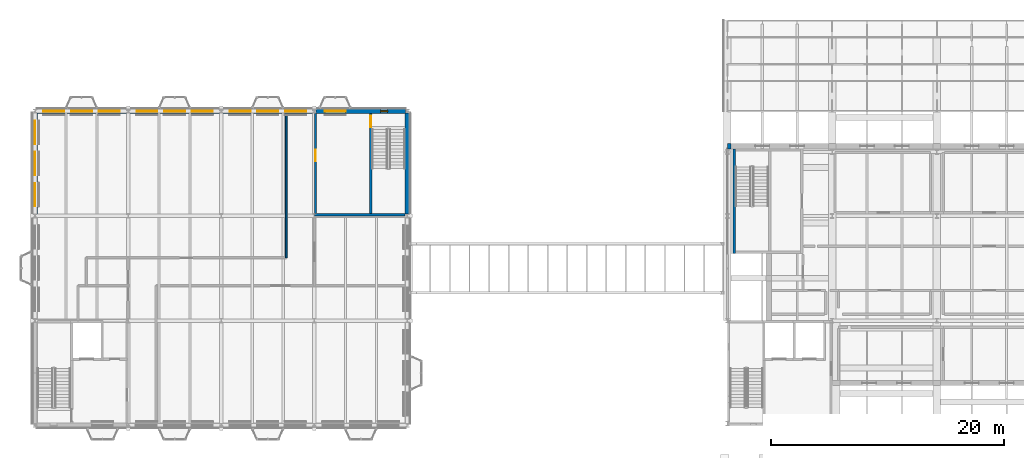
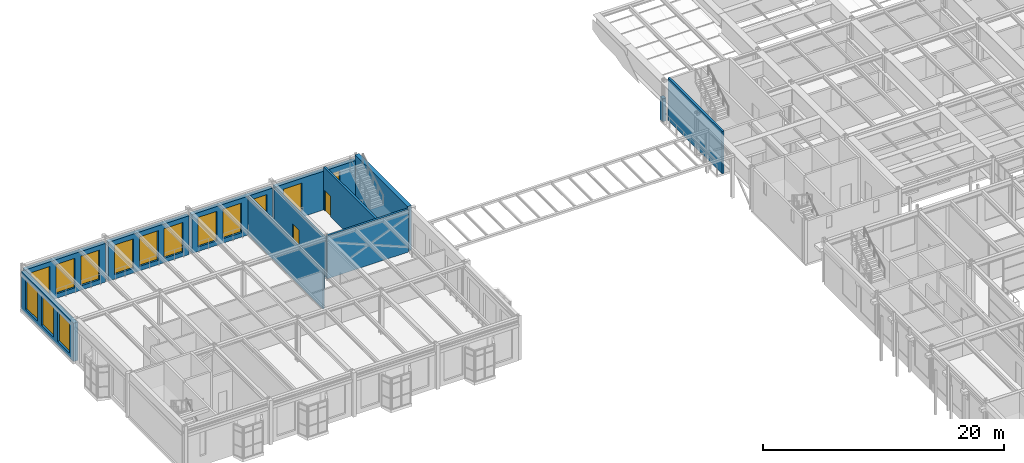
# One storey, part 102 of 153: 14 windows, 12 walls, 2 doors, 16 openings.
"""IFC4 building model written with IfcOpenShell, lengths in metres."""

from ifc_helpers import new_model, si_unit, direction, frame, frame_2d, origin, place, context, subcontext, project, spatial, rectangle, extrude, material, layer, layer_set, type_object, element, fill, save


model = new_model("IFC4")

# Units and contexts
model_context = context("Model", 3, precision=1e-05, world=origin(), true_north=direction((0.0, 1.0)))
body_context = subcontext(model_context, "Body", "Model", "MODEL_VIEW")
ifc_project = project(units=[si_unit("LENGTHUNIT", "METRE"), si_unit("AREAUNIT", "SQUARE_METRE"), si_unit("VOLUMEUNIT", "CUBIC_METRE"), si_unit("PLANEANGLEUNIT", "RADIAN"), si_unit("MASSUNIT", "GRAM", prefix="KILO")], contexts=[model_context])

# Site, building, storey
site_placement = place(None, origin())
site = spatial("IfcSite", under=ifc_project, at=site_placement, CompositionType="ELEMENT")
building_placement = place(site_placement, origin())
building = spatial("IfcBuilding", under=site, at=building_placement, Name="Kallimachos Central Library", CompositionType="ELEMENT")
storey_placement = place(building_placement, frame((0.0, 0.0, 5.39990234375)))
storey = spatial("IfcBuildingStorey", under=building, at=storey_placement, Name="L01", CompositionType="ELEMENT", Elevation=5.39990234375)

# Wall
ifc_material_1 = material(Name="Concrete C30/37", Category="concrete")
ifc_layer_1 = layer(ifc_material_1, 0.199951171875)
ifc_layer_set_1 = layer_set([ifc_layer_1], Name="Core wall 200")
wall_type_1 = type_object("IfcWallType", Name="Core wall 200", PredefinedType="SOLIDWALL", material=ifc_layer_set_1)
wall_1_placement = place(storey_placement, frame((66.10009765625, 101.77490234375, 0.0), z_axis=(0.0, 0.0, 1.0), x_axis=(0.0, 1.0, 0.0)))
element("IfcWall", 1, at=wall_1_placement, inside=storey, type_object=wall_type_1, Name="Core wall V1-NW W", PredefinedType="SOLIDWALL", context=body_context, shape_type="SweptSolid", body=[
    extrude(rectangle(XDim=9.0, YDim=0.199951171875, at=frame_2d((4.5, 0.0))), origin(), (0.0, 0.0, 1.0), 4.300048828125),
])

# Wall, opening, door
wall_2_placement = place(storey_placement, frame((34.85009765625, 105.199951171875, 0.0), z_axis=(0.0, 0.0, 1.0), x_axis=(0.0, 1.0, 0.0)))
wall_2 = element("IfcWall", 2, at=wall_2_placement, inside=storey, type_object=wall_type_1, Name="Core wall ne-stair-lobby L01", PredefinedType="SOLIDWALL", context=body_context, shape_type="SweptSolid", body=[
    extrude(rectangle(XDim=8.60009765625, YDim=0.199951171875, at=frame_2d((4.300048828125, 0.0))), origin(), (0.0, 0.0, 1.0), 4.35009765625),
])
opening_1_placement = place(wall_2_placement, frame((7.425048828125, 0.0, 0.0)))
opening_1 = element("IfcOpeningElement", 3, at=opening_1_placement, cuts=wall_2, Name="Opening D301", PredefinedType="OPENING", context=body_context, shape_type="SweptSolid", body=[
    extrude(rectangle(XDim=1.0, YDim=2.10009765625, at=frame_2d((0.5, 1.050048828125))), frame((0.0, 0.10986328125, 0.0), z_axis=(0.0, -1.0, 0.0), x_axis=(1.0, 0.0, 0.0)), (0.0, 0.0, 1.0), 0.219970703125),
])
ifc_material_2 = material(Name="Steel fire door", Category="steel")
door_type = type_object("IfcDoorType", Name="Fire door 1000 x 2100", OperationType="NOTDEFINED", PredefinedType="DOOR", material=ifc_material_2)
door_1_placement = place(opening_1_placement, frame((1.0, 0.0, 0.0), z_axis=(0.0, 0.0, 1.0), x_axis=(-1.0, 0.0, 0.0)))
door_1 = element("IfcDoor", 4, at=door_1_placement, inside=storey, type_object=door_type, Name="Stair ST6 door", OperationType="SINGLE_SWING_RIGHT", OverallHeight=2.10009765625, OverallWidth=1.0, PredefinedType="DOOR", context=body_context, shape_type="SweptSolid", body=[
    extrude(rectangle(XDim=1.0, YDim=2.10009765625, at=frame_2d((0.5, 1.050048828125))), frame((0.0, 0.02490234375, 0.0), z_axis=(0.0, -1.0, 0.0), x_axis=(1.0, 0.0, 0.0)), (0.0, 0.0, 1.0), 0.050048828125),
])
fill(opening_1, door_1)

# Wall
wall_3_placement = place(storey_placement, frame((30.0, 105.10009765625, 0.0), z_axis=(0.0, 0.0, 1.0), x_axis=(1.0, 0.0, 0.0)))
element("IfcWall", 5, at=wall_3_placement, inside=storey, type_object=wall_type_1, Name="Core wall ne-south L01", PredefinedType="SOLIDWALL", context=body_context, shape_type="SweptSolid", body=[
    extrude(rectangle(XDim=7.800048828125, YDim=0.199951171875, at=frame_2d((3.89990234375, 0.0))), origin(), (0.0, 0.0, 1.0), 4.35009765625),
])

# Wall, opening, door
wall_4_placement = place(storey_placement, frame((30.10009765625, 105.199951171875, 0.0), z_axis=(0.0, 0.0, 1.0), x_axis=(0.0, 1.0, 0.0)))
wall_4 = element("IfcWall", 6, at=wall_4_placement, inside=storey, type_object=wall_type_1, Name="Core wall ne-west L01", PredefinedType="SOLIDWALL", context=body_context, shape_type="SweptSolid", body=[
    extrude(rectangle(XDim=8.60009765625, YDim=0.199951171875, at=frame_2d((4.300048828125, 0.0))), origin(), (0.0, 0.0, 1.0), 3.91015625),
])
opening_2_placement = place(wall_4_placement, frame((4.5, 0.0, 0.0)))
opening_2 = element("IfcOpeningElement", 7, at=opening_2_placement, cuts=wall_4, Name="Opening D302", PredefinedType="OPENING", context=body_context, shape_type="SweptSolid", body=[
    extrude(rectangle(XDim=1.0, YDim=2.10009765625, at=frame_2d((0.5, 1.050048828125))), frame((0.0, 0.10986328125, 0.0), z_axis=(0.0, -1.0, 0.0), x_axis=(1.0, 0.0, 0.0)), (0.0, 0.0, 1.0), 0.219970703125),
])
door_2_placement = place(opening_2_placement, origin())
door_2 = element("IfcDoor", 8, at=door_2_placement, inside=storey, type_object=door_type, Name="Stair lobby ST6 door to corridor", OperationType="SINGLE_SWING_LEFT", OverallHeight=2.10009765625, OverallWidth=1.0, PredefinedType="DOOR", context=body_context, shape_type="SweptSolid", body=[
    extrude(rectangle(XDim=1.0, YDim=2.10009765625, at=frame_2d((0.5, 1.050048828125))), frame((0.0, 0.02490234375, 0.0), z_axis=(0.0, -1.0, 0.0), x_axis=(1.0, 0.0, 0.0)), (0.0, 0.0, 1.0), 0.050048828125),
])
fill(opening_2, door_2)

# Wall
ifc_material_3 = material(Name="Gypsum board on steel studs", Category="steel")
ifc_layer_2 = layer(ifc_material_3, 0.14990234375)
ifc_layer_set_2 = layer_set([ifc_layer_2], Name="Partition wall 150")
wall_type_2 = type_object("IfcWallType", Name="Partition wall 150", PredefinedType="PARTITIONING", material=ifc_layer_set_2)
wall_5_placement = place(storey_placement, frame((27.60009765625, 101.39990234375, 0.0), z_axis=(0.0, 0.0, 1.0), x_axis=(0.0, 1.0, 0.0)))
element("IfcWall", 9, at=wall_5_placement, inside=storey, type_object=wall_type_2, Name="Partition L01", PredefinedType="PARTITIONING", context=body_context, shape_type="SweptSolid", body=[
    extrude(rectangle(XDim=12.400146484375, YDim=0.14990234375, at=frame_2d((6.2001953125, 0.0))), origin(), (0.0, 0.0, 1.0), 3.960205078125),
])

# Wall, openings, windows
ifc_material_4 = material(Name="Pentelic marble cladding on insulated brick masonry", Category="masonry")
ifc_layer_3 = layer(ifc_material_4, 0.39990234375)
ifc_layer_set_3 = layer_set([ifc_layer_3], Name="Stone cladding wall 400")
wall_type_3 = type_object("IfcWallType", Name="Stone cladding wall 400", PredefinedType="SOLIDWALL", material=ifc_layer_set_3)
wall_6_placement = place(storey_placement, frame((30.14990234375, 114.0, 0.0), z_axis=(0.0, 0.0, 1.0), x_axis=(1.0, 0.0, 0.0)))
wall_6 = element("IfcWall", 10, at=wall_6_placement, inside=storey, type_object=wall_type_3, Name="Stone wall N4 L01", PredefinedType="SOLIDWALL", context=body_context, shape_type="SweptSolid", body=[
    extrude(rectangle(XDim=7.7001953125, YDim=0.39990234375, at=frame_2d((3.85009765625, 0.0))), origin(), (0.0, 0.0, 1.0), 3.93017578125),
])
opening_3_placement = place(wall_6_placement, frame((5.550048828125, 0.0, 1.0)))
opening_3 = element("IfcOpeningElement", 11, at=opening_3_placement, cuts=wall_6, Name="Opening WN221", PredefinedType="OPENING", context=body_context, shape_type="SweptSolid", body=[
    extrude(rectangle(XDim=0.60009765625, YDim=2.39990234375, at=frame_2d((0.300048828125, 1.199951171875))), frame((0.0, 0.2099609375, 0.0), z_axis=(0.0, -1.0, 0.0), x_axis=(1.0, 0.0, 0.0)), (0.0, 0.0, 1.0), 0.419921875),
])
opening_4_placement = place(wall_6_placement, frame((0.75, 0.0, 0.449951171875)))
opening_4 = element("IfcOpeningElement", 12, at=opening_4_placement, cuts=wall_6, Name="Opening WN222", PredefinedType="OPENING", context=body_context, shape_type="SweptSolid", body=[
    extrude(rectangle(XDim=1.800048828125, YDim=3.0, at=frame_2d((0.89990234375, 1.5))), frame((0.0, 0.2099609375, 0.0), z_axis=(0.0, -1.0, 0.0), x_axis=(1.0, 0.0, 0.0)), (0.0, 0.0, 1.0), 0.419921875),
])
ifc_material_5 = material(Name="Laminated safety glass in painted steel frame", Category="steel")
window_type_1 = type_object("IfcWindowType", Name="Stair window 600 x 2400", PartitioningType="SINGLE_PANEL", PredefinedType="WINDOW", material=ifc_material_5)
window_1_placement = place(opening_3_placement, origin())
window_1 = element("IfcWindow", 13, at=window_1_placement, inside=storey, type_object=window_type_1, Name="V2-WIN-L01-021", OverallHeight=2.39990234375, OverallWidth=0.60009765625, PartitioningType="SINGLE_PANEL", PredefinedType="WINDOW", context=body_context, shape_type="SweptSolid", body=[
    extrude(rectangle(XDim=0.60009765625, YDim=2.39990234375, at=frame_2d((0.300048828125, 1.199951171875))), frame((0.0, 0.030029296875, 0.0), z_axis=(0.0, -1.0, 0.0), x_axis=(1.0, 0.0, 0.0)), (0.0, 0.0, 1.0), 0.06005859375),
])
fill(opening_3, window_1)
ifc_material_6 = material(Name="Laminated safety glass in painted steel frame", Category="steel")
window_type_2 = type_object("IfcWindowType", Name="Window 1800 x 3000", PartitioningType="SINGLE_PANEL", PredefinedType="WINDOW", material=ifc_material_6)
window_2_placement = place(opening_4_placement, origin())
window_2 = element("IfcWindow", 14, at=window_2_placement, inside=storey, type_object=window_type_2, Name="V2-WIN-L01-022", OverallHeight=3.0, OverallWidth=1.800048828125, PartitioningType="SINGLE_PANEL", PredefinedType="WINDOW", context=body_context, shape_type="SweptSolid", body=[
    extrude(rectangle(XDim=1.800048828125, YDim=3.0, at=frame_2d((0.89990234375, 1.5))), frame((0.0, 0.030029296875, 0.0), z_axis=(0.0, -1.0, 0.0), x_axis=(1.0, 0.0, 0.0)), (0.0, 0.0, 1.0), 0.06005859375),
])
fill(opening_4, window_2)

# Wall
ifc_material_7 = material(Name="Pentelic marble cladding on insulated brick masonry", Category="masonry")
ifc_layer_4 = layer(ifc_material_7, 0.39990234375)
ifc_layer_set_4 = layer_set([ifc_layer_4], Name="Stone cladding wall 400, load-bearing")
wall_type_4 = type_object("IfcWallType", Name="Stone cladding wall 400, load-bearing", PredefinedType="SOLIDWALL", material=ifc_layer_set_4)
wall_7_placement = place(storey_placement, frame((38.0, 105.14990234375, 0.0), z_axis=(0.0, 0.0, 1.0), x_axis=(0.0, 1.0, 0.0)))
element("IfcWall", 15, at=wall_7_placement, inside=storey, type_object=wall_type_4, Name="Stone wall E3 L01", PredefinedType="SOLIDWALL", context=body_context, shape_type="SweptSolid", body=[
    extrude(rectangle(XDim=8.7001953125, YDim=0.39990234375, at=frame_2d((4.35009765625, 0.0))), origin(), (0.0, 0.0, 1.0), 4.5),
])

# Wall, openings, windows
ifc_material_8 = material(Name="Pentelic marble cladding on insulated brick masonry", Category="masonry")
ifc_layer_5 = layer(ifc_material_8, 0.39990234375)
ifc_layer_set_5 = layer_set([ifc_layer_5], Name="Stone cladding wall 400, unrated")
wall_type_5 = type_object("IfcWallType", Name="Stone cladding wall 400, unrated", PredefinedType="SOLIDWALL", material=ifc_layer_set_5)
wall_8_placement = place(storey_placement, frame((6.14990234375, 114.0, 0.0), z_axis=(0.0, 0.0, 1.0), x_axis=(1.0, 0.0, 0.0)))
wall_8 = element("IfcWall", 16, at=wall_8_placement, inside=storey, type_object=wall_type_5, Name="Stone wall N1 L01", PredefinedType="SOLIDWALL", context=body_context, shape_type="SweptSolid", body=[
    extrude(rectangle(XDim=7.7001953125, YDim=0.39990234375, at=frame_2d((3.85009765625, 0.0))), origin(), (0.0, 0.0, 1.0), 3.93017578125),
])
opening_5_placement = place(wall_8_placement, frame((0.574951171875, 0.0, 0.449951171875)))
opening_5 = element("IfcOpeningElement", 17, at=opening_5_placement, cuts=wall_8, Name="Opening WN198", PredefinedType="OPENING", context=body_context, shape_type="SweptSolid", body=[
    extrude(rectangle(XDim=1.800048828125, YDim=3.0, at=frame_2d((0.89990234375, 1.5))), frame((0.0, 0.2099609375, 0.0), z_axis=(0.0, -1.0, 0.0), x_axis=(1.0, 0.0, 0.0)), (0.0, 0.0, 1.0), 0.419921875),
])
opening_6_placement = place(wall_8_placement, frame((2.949951171875, 0.0, 0.449951171875)))
opening_6 = element("IfcOpeningElement", 18, at=opening_6_placement, cuts=wall_8, Name="Opening WN199", PredefinedType="OPENING", context=body_context, shape_type="SweptSolid", body=[
    extrude(rectangle(XDim=1.800048828125, YDim=3.0, at=frame_2d((0.89990234375, 1.5))), frame((0.0, 0.2099609375, 0.0), z_axis=(0.0, -1.0, 0.0), x_axis=(1.0, 0.0, 0.0)), (0.0, 0.0, 1.0), 0.419921875),
])
opening_7_placement = place(wall_8_placement, frame((5.324951171875, 0.0, 0.449951171875)))
opening_7 = element("IfcOpeningElement", 19, at=opening_7_placement, cuts=wall_8, Name="Opening WN200", PredefinedType="OPENING", context=body_context, shape_type="SweptSolid", body=[
    extrude(rectangle(XDim=1.800048828125, YDim=3.0, at=frame_2d((0.89990234375, 1.5))), frame((0.0, 0.2099609375, 0.0), z_axis=(0.0, -1.0, 0.0), x_axis=(1.0, 0.0, 0.0)), (0.0, 0.0, 1.0), 0.419921875),
])
window_3_placement = place(opening_5_placement, origin())
window_3 = element("IfcWindow", 20, at=window_3_placement, inside=storey, type_object=window_type_2, Name="V2-WIN-L01-012", OverallHeight=3.0, OverallWidth=1.800048828125, PartitioningType="SINGLE_PANEL", PredefinedType="WINDOW", context=body_context, shape_type="SweptSolid", body=[
    extrude(rectangle(XDim=1.800048828125, YDim=3.0, at=frame_2d((0.89990234375, 1.5))), frame((0.0, 0.030029296875, 0.0), z_axis=(0.0, -1.0, 0.0), x_axis=(1.0, 0.0, 0.0)), (0.0, 0.0, 1.0), 0.06005859375),
])
fill(opening_5, window_3)
window_4_placement = place(opening_6_placement, origin())
window_4 = element("IfcWindow", 21, at=window_4_placement, inside=storey, type_object=window_type_2, Name="V2-WIN-L01-013", OverallHeight=3.0, OverallWidth=1.800048828125, PartitioningType="SINGLE_PANEL", PredefinedType="WINDOW", context=body_context, shape_type="SweptSolid", body=[
    extrude(rectangle(XDim=1.800048828125, YDim=3.0, at=frame_2d((0.89990234375, 1.5))), frame((0.0, 0.030029296875, 0.0), z_axis=(0.0, -1.0, 0.0), x_axis=(1.0, 0.0, 0.0)), (0.0, 0.0, 1.0), 0.06005859375),
])
fill(opening_6, window_4)
window_5_placement = place(opening_7_placement, origin())
window_5 = element("IfcWindow", 22, at=window_5_placement, inside=storey, type_object=window_type_2, Name="V2-WIN-L01-014", OverallHeight=3.0, OverallWidth=1.800048828125, PartitioningType="SINGLE_PANEL", PredefinedType="WINDOW", context=body_context, shape_type="SweptSolid", body=[
    extrude(rectangle(XDim=1.800048828125, YDim=3.0, at=frame_2d((0.89990234375, 1.5))), frame((0.0, 0.030029296875, 0.0), z_axis=(0.0, -1.0, 0.0), x_axis=(1.0, 0.0, 0.0)), (0.0, 0.0, 1.0), 0.06005859375),
])
fill(opening_7, window_5)

wall_9_placement = place(storey_placement, frame((14.14990234375, 114.0, 0.0), z_axis=(0.0, 0.0, 1.0), x_axis=(1.0, 0.0, 0.0)))
wall_9 = element("IfcWall", 23, at=wall_9_placement, inside=storey, type_object=wall_type_5, Name="Stone wall N2 L01", PredefinedType="SOLIDWALL", context=body_context, shape_type="SweptSolid", body=[
    extrude(rectangle(XDim=7.7001953125, YDim=0.39990234375, at=frame_2d((3.85009765625, 0.0))), origin(), (0.0, 0.0, 1.0), 3.93017578125),
])
opening_8_placement = place(wall_9_placement, frame((0.574951171875, 0.0, 0.449951171875)))
opening_8 = element("IfcOpeningElement", 24, at=opening_8_placement, cuts=wall_9, Name="Opening WN206", PredefinedType="OPENING", context=body_context, shape_type="SweptSolid", body=[
    extrude(rectangle(XDim=1.800048828125, YDim=3.0, at=frame_2d((0.89990234375, 1.5))), frame((0.0, 0.2099609375, 0.0), z_axis=(0.0, -1.0, 0.0), x_axis=(1.0, 0.0, 0.0)), (0.0, 0.0, 1.0), 0.419921875),
])
opening_9_placement = place(wall_9_placement, frame((2.949951171875, 0.0, 0.449951171875)))
opening_9 = element("IfcOpeningElement", 25, at=opening_9_placement, cuts=wall_9, Name="Opening WN207", PredefinedType="OPENING", context=body_context, shape_type="SweptSolid", body=[
    extrude(rectangle(XDim=1.800048828125, YDim=3.0, at=frame_2d((0.89990234375, 1.5))), frame((0.0, 0.2099609375, 0.0), z_axis=(0.0, -1.0, 0.0), x_axis=(1.0, 0.0, 0.0)), (0.0, 0.0, 1.0), 0.419921875),
])
opening_10_placement = place(wall_9_placement, frame((5.324951171875, 0.0, 0.449951171875)))
opening_10 = element("IfcOpeningElement", 26, at=opening_10_placement, cuts=wall_9, Name="Opening WN208", PredefinedType="OPENING", context=body_context, shape_type="SweptSolid", body=[
    extrude(rectangle(XDim=1.800048828125, YDim=3.0, at=frame_2d((0.89990234375, 1.5))), frame((0.0, 0.2099609375, 0.0), z_axis=(0.0, -1.0, 0.0), x_axis=(1.0, 0.0, 0.0)), (0.0, 0.0, 1.0), 0.419921875),
])
window_6_placement = place(opening_8_placement, origin())
window_6 = element("IfcWindow", 27, at=window_6_placement, inside=storey, type_object=window_type_2, Name="V2-WIN-L01-015", OverallHeight=3.0, OverallWidth=1.800048828125, PartitioningType="SINGLE_PANEL", PredefinedType="WINDOW", context=body_context, shape_type="SweptSolid", body=[
    extrude(rectangle(XDim=1.800048828125, YDim=3.0, at=frame_2d((0.89990234375, 1.5))), frame((0.0, 0.030029296875, 0.0), z_axis=(0.0, -1.0, 0.0), x_axis=(1.0, 0.0, 0.0)), (0.0, 0.0, 1.0), 0.06005859375),
])
fill(opening_8, window_6)
window_7_placement = place(opening_9_placement, origin())
window_7 = element("IfcWindow", 28, at=window_7_placement, inside=storey, type_object=window_type_2, Name="V2-WIN-L01-016", OverallHeight=3.0, OverallWidth=1.800048828125, PartitioningType="SINGLE_PANEL", PredefinedType="WINDOW", context=body_context, shape_type="SweptSolid", body=[
    extrude(rectangle(XDim=1.800048828125, YDim=3.0, at=frame_2d((0.89990234375, 1.5))), frame((0.0, 0.030029296875, 0.0), z_axis=(0.0, -1.0, 0.0), x_axis=(1.0, 0.0, 0.0)), (0.0, 0.0, 1.0), 0.06005859375),
])
fill(opening_9, window_7)
window_8_placement = place(opening_10_placement, origin())
window_8 = element("IfcWindow", 29, at=window_8_placement, inside=storey, type_object=window_type_2, Name="V2-WIN-L01-017", OverallHeight=3.0, OverallWidth=1.800048828125, PartitioningType="SINGLE_PANEL", PredefinedType="WINDOW", context=body_context, shape_type="SweptSolid", body=[
    extrude(rectangle(XDim=1.800048828125, YDim=3.0, at=frame_2d((0.89990234375, 1.5))), frame((0.0, 0.030029296875, 0.0), z_axis=(0.0, -1.0, 0.0), x_axis=(1.0, 0.0, 0.0)), (0.0, 0.0, 1.0), 0.06005859375),
])
fill(opening_10, window_8)

wall_10_placement = place(storey_placement, frame((22.14990234375, 114.0, 0.0), z_axis=(0.0, 0.0, 1.0), x_axis=(1.0, 0.0, 0.0)))
wall_10 = element("IfcWall", 30, at=wall_10_placement, inside=storey, type_object=wall_type_5, Name="Stone wall N3 L01", PredefinedType="SOLIDWALL", context=body_context, shape_type="SweptSolid", body=[
    extrude(rectangle(XDim=7.7001953125, YDim=0.39990234375, at=frame_2d((3.85009765625, 0.0))), origin(), (0.0, 0.0, 1.0), 3.93017578125),
])
opening_11_placement = place(wall_10_placement, frame((0.574951171875, 0.0, 0.449951171875)))
opening_11 = element("IfcOpeningElement", 31, at=opening_11_placement, cuts=wall_10, Name="Opening WN214", PredefinedType="OPENING", context=body_context, shape_type="SweptSolid", body=[
    extrude(rectangle(XDim=1.800048828125, YDim=3.0, at=frame_2d((0.89990234375, 1.5))), frame((0.0, 0.2099609375, 0.0), z_axis=(0.0, -1.0, 0.0), x_axis=(1.0, 0.0, 0.0)), (0.0, 0.0, 1.0), 0.419921875),
])
opening_12_placement = place(wall_10_placement, frame((2.949951171875, 0.0, 0.449951171875)))
opening_12 = element("IfcOpeningElement", 32, at=opening_12_placement, cuts=wall_10, Name="Opening WN215", PredefinedType="OPENING", context=body_context, shape_type="SweptSolid", body=[
    extrude(rectangle(XDim=1.800048828125, YDim=3.0, at=frame_2d((0.89990234375, 1.5))), frame((0.0, 0.2099609375, 0.0), z_axis=(0.0, -1.0, 0.0), x_axis=(1.0, 0.0, 0.0)), (0.0, 0.0, 1.0), 0.419921875),
])
opening_13_placement = place(wall_10_placement, frame((5.375, 0.0, 0.449951171875)))
opening_13 = element("IfcOpeningElement", 33, at=opening_13_placement, cuts=wall_10, Name="Opening WN216", PredefinedType="OPENING", context=body_context, shape_type="SweptSolid", body=[
    extrude(rectangle(XDim=1.800048828125, YDim=3.0, at=frame_2d((0.89990234375, 1.5))), frame((0.0, 0.2099609375, 0.0), z_axis=(0.0, -1.0, 0.0), x_axis=(1.0, 0.0, 0.0)), (0.0, 0.0, 1.0), 0.419921875),
])
window_9_placement = place(opening_11_placement, origin())
window_9 = element("IfcWindow", 34, at=window_9_placement, inside=storey, type_object=window_type_2, Name="V2-WIN-L01-018", OverallHeight=3.0, OverallWidth=1.800048828125, PartitioningType="SINGLE_PANEL", PredefinedType="WINDOW", context=body_context, shape_type="SweptSolid", body=[
    extrude(rectangle(XDim=1.800048828125, YDim=3.0, at=frame_2d((0.89990234375, 1.5))), frame((0.0, 0.030029296875, 0.0), z_axis=(0.0, -1.0, 0.0), x_axis=(1.0, 0.0, 0.0)), (0.0, 0.0, 1.0), 0.06005859375),
])
fill(opening_11, window_9)
window_10_placement = place(opening_12_placement, origin())
window_10 = element("IfcWindow", 35, at=window_10_placement, inside=storey, type_object=window_type_2, Name="V2-WIN-L01-019", OverallHeight=3.0, OverallWidth=1.800048828125, PartitioningType="SINGLE_PANEL", PredefinedType="WINDOW", context=body_context, shape_type="SweptSolid", body=[
    extrude(rectangle(XDim=1.800048828125, YDim=3.0, at=frame_2d((0.89990234375, 1.5))), frame((0.0, 0.030029296875, 0.0), z_axis=(0.0, -1.0, 0.0), x_axis=(1.0, 0.0, 0.0)), (0.0, 0.0, 1.0), 0.06005859375),
])
fill(opening_12, window_10)
window_11_placement = place(opening_13_placement, origin())
window_11 = element("IfcWindow", 36, at=window_11_placement, inside=storey, type_object=window_type_2, Name="V2-WIN-L01-020", OverallHeight=3.0, OverallWidth=1.800048828125, PartitioningType="SINGLE_PANEL", PredefinedType="WINDOW", context=body_context, shape_type="SweptSolid", body=[
    extrude(rectangle(XDim=1.800048828125, YDim=3.0, at=frame_2d((0.89990234375, 1.5))), frame((0.0, 0.030029296875, 0.0), z_axis=(0.0, -1.0, 0.0), x_axis=(1.0, 0.0, 0.0)), (0.0, 0.0, 1.0), 0.06005859375),
])
fill(opening_13, window_11)

wall_11_placement = place(storey_placement, frame((6.0, 105.14990234375, 0.0), z_axis=(0.0, 0.0, 1.0), x_axis=(0.0, 1.0, 0.0)))
wall_11 = element("IfcWall", 37, at=wall_11_placement, inside=storey, type_object=wall_type_5, Name="Stone wall W3 L01", PredefinedType="SOLIDWALL", context=body_context, shape_type="SweptSolid", body=[
    extrude(rectangle(XDim=8.7001953125, YDim=0.39990234375, at=frame_2d((4.35009765625, 0.0))), origin(), (0.0, 0.0, 1.0), 3.880126953125),
])
opening_14_placement = place(wall_11_placement, frame((0.675048828125, 0.0, 0.449951171875)))
opening_14 = element("IfcOpeningElement", 38, at=opening_14_placement, cuts=wall_11, Name="Opening WN237", PredefinedType="OPENING", context=body_context, shape_type="SweptSolid", body=[
    extrude(rectangle(XDim=2.0, YDim=3.0, at=frame_2d((1.0, 1.5))), frame((0.0, 0.2099609375, 0.0), z_axis=(0.0, -1.0, 0.0), x_axis=(1.0, 0.0, 0.0)), (0.0, 0.0, 1.0), 0.419921875),
])
opening_15_placement = place(wall_11_placement, frame((3.35009765625, 0.0, 0.449951171875)))
opening_15 = element("IfcOpeningElement", 39, at=opening_15_placement, cuts=wall_11, Name="Opening WN238", PredefinedType="OPENING", context=body_context, shape_type="SweptSolid", body=[
    extrude(rectangle(XDim=2.0, YDim=3.0, at=frame_2d((1.0, 1.5))), frame((0.0, 0.2099609375, 0.0), z_axis=(0.0, -1.0, 0.0), x_axis=(1.0, 0.0, 0.0)), (0.0, 0.0, 1.0), 0.419921875),
])
opening_16_placement = place(wall_11_placement, frame((6.02490234375, 0.0, 0.449951171875)))
opening_16 = element("IfcOpeningElement", 40, at=opening_16_placement, cuts=wall_11, Name="Opening WN239", PredefinedType="OPENING", context=body_context, shape_type="SweptSolid", body=[
    extrude(rectangle(XDim=2.0, YDim=3.0, at=frame_2d((1.0, 1.5))), frame((0.0, 0.2099609375, 0.0), z_axis=(0.0, -1.0, 0.0), x_axis=(1.0, 0.0, 0.0)), (0.0, 0.0, 1.0), 0.419921875),
])
ifc_material_9 = material(Name="Laminated safety glass in painted steel frame", Category="steel")
window_type_3 = type_object("IfcWindowType", Name="Window 2000 x 3000", PartitioningType="SINGLE_PANEL", PredefinedType="WINDOW", material=ifc_material_9)
window_12_placement = place(opening_14_placement, origin())
window_12 = element("IfcWindow", 41, at=window_12_placement, inside=storey, type_object=window_type_3, Name="V2-WIN-L01-026", OverallHeight=3.0, OverallWidth=2.0, PartitioningType="SINGLE_PANEL", PredefinedType="WINDOW", context=body_context, shape_type="SweptSolid", body=[
    extrude(rectangle(XDim=2.0, YDim=3.0, at=frame_2d((1.0, 1.5))), frame((0.0, 0.030029296875, 0.0), z_axis=(0.0, -1.0, 0.0), x_axis=(1.0, 0.0, 0.0)), (0.0, 0.0, 1.0), 0.06005859375),
])
fill(opening_14, window_12)
window_13_placement = place(opening_15_placement, origin())
window_13 = element("IfcWindow", 42, at=window_13_placement, inside=storey, type_object=window_type_3, Name="V2-WIN-L01-027", OverallHeight=3.0, OverallWidth=2.0, PartitioningType="SINGLE_PANEL", PredefinedType="WINDOW", context=body_context, shape_type="SweptSolid", body=[
    extrude(rectangle(XDim=2.0, YDim=3.0, at=frame_2d((1.0, 1.5))), frame((0.0, 0.030029296875, 0.0), z_axis=(0.0, -1.0, 0.0), x_axis=(1.0, 0.0, 0.0)), (0.0, 0.0, 1.0), 0.06005859375),
])
fill(opening_15, window_13)
window_14_placement = place(opening_16_placement, origin())
window_14 = element("IfcWindow", 43, at=window_14_placement, inside=storey, type_object=window_type_3, Name="V2-WIN-L01-028", OverallHeight=3.0, OverallWidth=2.0, PartitioningType="SINGLE_PANEL", PredefinedType="WINDOW", context=body_context, shape_type="SweptSolid", body=[
    extrude(rectangle(XDim=2.0, YDim=3.0, at=frame_2d((1.0, 1.5))), frame((0.0, 0.030029296875, 0.0), z_axis=(0.0, -1.0, 0.0), x_axis=(1.0, 0.0, 0.0)), (0.0, 0.0, 1.0), 0.06005859375),
])
fill(opening_16, window_14)

# Wall
ifc_material_10 = material(Name="Pentelic marble cladding on blockwork", Category="masonry")
ifc_layer_6 = layer(ifc_material_10, 0.449951171875)
ifc_layer_set_6 = layer_set([ifc_layer_6], Name="Stone-clad external wall 450")
wall_type_6 = type_object("IfcWallType", Name="Stone-clad external wall 450", PredefinedType="SOLIDWALL", material=ifc_layer_set_6)
wall_12_placement = place(storey_placement, frame((65.5, 111.0, 0.0), z_axis=(0.0, 0.0, 1.0), x_axis=(1.0, 0.0, 0.0)))
element("IfcWall", 44, at=wall_12_placement, inside=storey, type_object=wall_type_6, Name="Stone base wall N L01", PredefinedType="SOLIDWALL", context=body_context, shape_type="SweptSolid", body=[
    extrude(rectangle(XDim=0.324951171875, YDim=0.449951171875, at=frame_2d((0.16259765625, 0.0))), origin(), (0.0, 0.0, 1.0), 2.300048828125),
])

save(model, "model.ifc")
